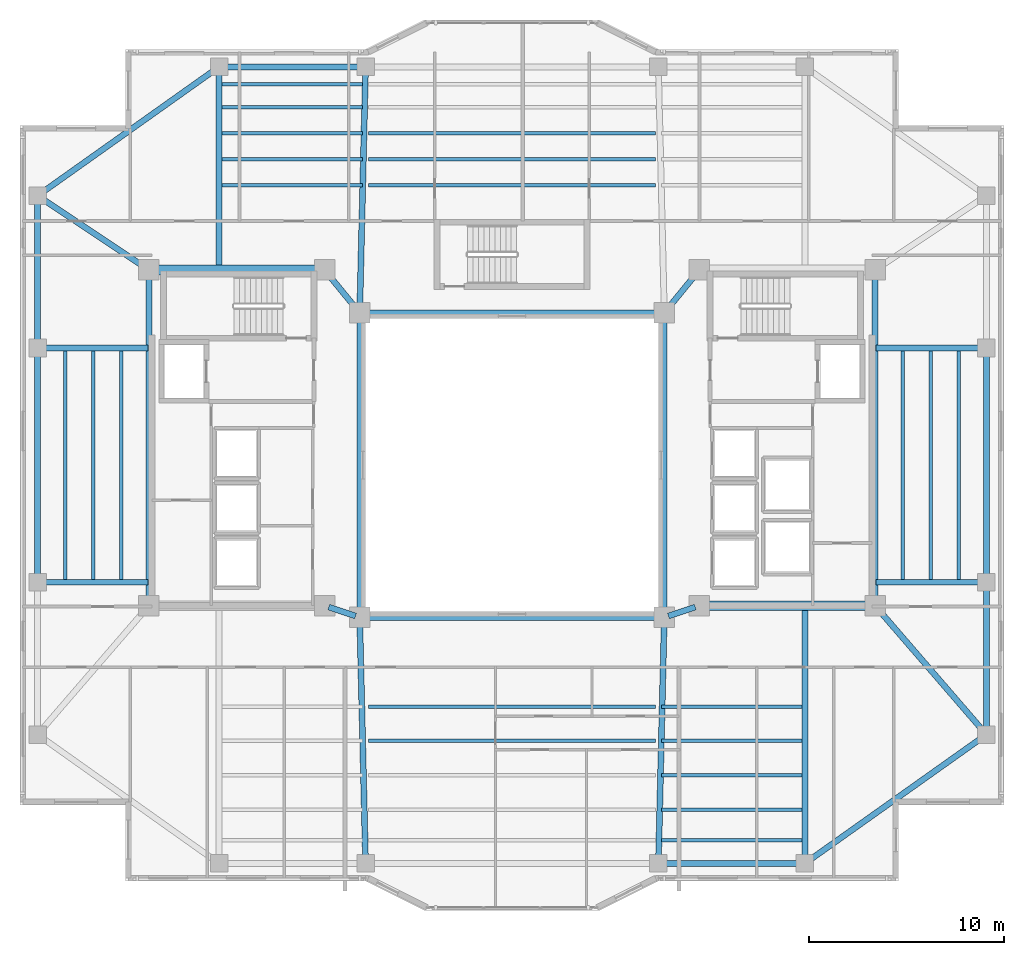
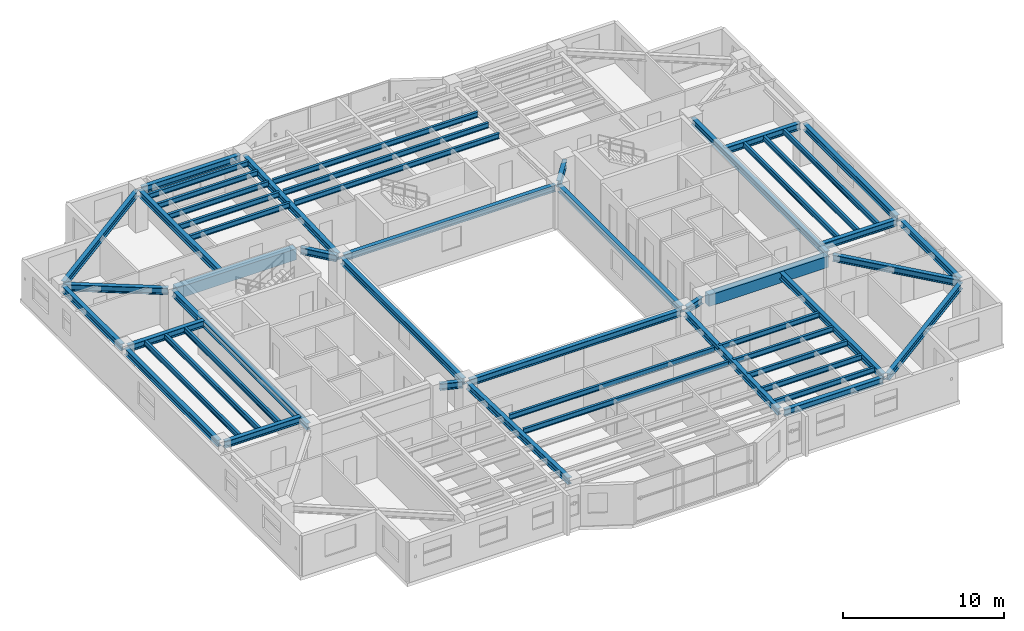
# One storey, part 3 of 15: 52 beams.
"""IFC4 building model written with IfcOpenShell, lengths in metres."""

from ifc_helpers import new_model, si_unit, direction, frame, origin, origin_2d, place, context, subcontext, project, spatial, rectangle, i_section, extrude, material, material_profile, profile_set, type_object, element, save


model = new_model("IFC4")

# Units and contexts
model_context = context("Model", 3, precision=1e-05, world=origin(), true_north=direction((0.0, 1.0)))
body_context = subcontext(model_context, "Body", "Model", "MODEL_VIEW")
ifc_project = project(units=[si_unit("LENGTHUNIT", "METRE"), si_unit("AREAUNIT", "SQUARE_METRE"), si_unit("VOLUMEUNIT", "CUBIC_METRE"), si_unit("PLANEANGLEUNIT", "RADIAN"), si_unit("MASSUNIT", "GRAM", prefix="KILO")], contexts=[model_context])

# Site, building, storey
site_placement = place(None, origin())
site = spatial("IfcSite", under=ifc_project, at=site_placement, CompositionType="ELEMENT")
building_placement = place(site_placement, origin())
building = spatial("IfcBuilding", under=site, at=building_placement, Name="Tarnavaz Court Tower", CompositionType="ELEMENT")
storey_placement = place(building_placement, frame((0.0, 0.0, 169.449951171875)))
storey = spatial("IfcBuildingStorey", under=building, at=storey_placement, Name="L46", CompositionType="ELEMENT", Elevation=169.449951171875)

# Beams
ifc_material_1 = material(Name="Concrete C50/60", Category="concrete")
ifc_material_profile_1 = material_profile(ifc_material_1, rectangle(XDim=0.5, YDim=0.85009765625, at=origin_2d()), Name="RC 500X850")
ifc_profile_set_1 = profile_set([ifc_material_profile_1], Name="Concrete C50/60")
beam_type_1 = type_object("IfcBeamType", Name="BM-CB850", PredefinedType="LINTEL", material=ifc_profile_set_1)
for number, where, z_axis, x_axis, name in (
    (1, (-18.3798828125, 10.0, 2.625), (1.0, 0.0, 0.0), (0.0, 1.0, 0.0), "L46 Beam IN-CW-NO-CW-NI"),
    (2, (18.3798828125, -7.199951171875, 2.625), (-1.0, 0.0, 0.0), (0.0, -1.0, 0.0), "L46 Beam IN-CE-SO-CE-SI"),
):
    element("IfcBeam", number, at=place(storey_placement, frame(where, z_axis=z_axis, x_axis=x_axis)), inside=storey, type_object=beam_type_1, Name=name, PredefinedType="LINTEL", context=body_context, shape_type="SweptSolid", body=[
        extrude(rectangle(XDim=0.5, YDim=0.85009765625, at=origin_2d()), origin(), (0.0, 0.0, 1.0), 8.559814453125),
    ])
ifc_material_2 = material(Name="Steel S355", Category="steel")
ifc_material_profile_2 = material_profile(ifc_material_2, i_section(OverallWidth=0.300048828125, OverallDepth=0.5, WebThickness=0.014404296875, FlangeThickness=0.028076171875, FilletRadius=0.027099609375, at=origin_2d()), Name="HEB 500")
ifc_profile_set_2 = profile_set([ifc_material_profile_2], Name="Steel S355")
beam_type_2 = type_object("IfcBeamType", Name="BM-G-HEB500", PredefinedType="USERDEFINED", material=ifc_profile_set_2)
for number, where, z_axis, x_axis, name in (
    (3, (-9.391357421875, -7.26953125, 2.800048828125), (0.948666544706, -0.316278021615, 0.0), (0.316278021615, 0.948666544706, 0.0), "L46 Beam IN-CW-SI-IW-SW"),
    (4, (9.391357421875, -7.26953125, 2.800048828125), (-0.948666544706, -0.316278021615, 0.0), (0.316278021615, -0.948666544706, 0.0), "L46 Beam IN-CE-SI-IW-SE"),
):
    element("IfcBeam", number, at=place(storey_placement, frame(where, z_axis=z_axis, x_axis=x_axis)), inside=storey, type_object=beam_type_2, Name=name, ObjectType="GIRDER", PredefinedType="USERDEFINED", context=body_context, shape_type="SweptSolid", body=[
        extrude(i_section(OverallWidth=0.300048828125, OverallDepth=0.5, WebThickness=0.014404296875, FlangeThickness=0.028076171875, FilletRadius=0.027099609375, at=origin_2d()), origin(), (0.0, 0.0, 1.0), 1.457275390625),
    ])
for number, where, z_axis, x_axis, name in (
    (5, (-9.460693359375, 9.82958984375, 2.800048828125), (0.633282058357, -0.773921077735, 0.0), (0.773921077735, 0.633282058357, 0.0), "L46 Beam IN-CW-NI-IW-NW"),
    (6, (9.460693359375, 9.82958984375, 2.800048828125), (-0.633282058357, -0.773921077735, 0.0), (0.773921077735, -0.633282058357, 0.0), "L46 Beam IN-CE-NI-IW-NE"),
):
    element("IfcBeam", number, at=place(storey_placement, frame(where, z_axis=z_axis, x_axis=x_axis)), inside=storey, type_object=beam_type_2, Name=name, ObjectType="GIRDER", PredefinedType="USERDEFINED", context=body_context, shape_type="SweptSolid", body=[
        extrude(i_section(OverallWidth=0.300048828125, OverallDepth=0.5, WebThickness=0.014404296875, FlangeThickness=0.028076171875, FilletRadius=0.027099609375, at=origin_2d()), origin(), (0.0, 0.0, 1.0), 2.402587890625),
    ])
for number, where, z_axis, x_axis, name in (
    (7, (-18.60009765625, -6.97998046875, 2.800048828125), (0.0, 1.0, 0.0), (-1.0, 0.0, 0.0), "L46 Beam IN-CW-SO-CW-NO"),
    (8, (18.60009765625, -6.97998046875, 2.800048828125), (0.0, 1.0, 0.0), (-1.0, 0.0, 0.0), "L46 Beam IN-CE-SO-CE-NO"),
):
    element("IfcBeam", number, at=place(storey_placement, frame(where, z_axis=z_axis, x_axis=x_axis)), inside=storey, type_object=beam_type_2, Name=name, ObjectType="GIRDER", PredefinedType="USERDEFINED", context=body_context, shape_type="SweptSolid", body=[
        extrude(i_section(OverallWidth=0.300048828125, OverallDepth=0.5, WebThickness=0.014404296875, FlangeThickness=0.028076171875, FilletRadius=0.027099609375, at=origin_2d()), origin(), (0.0, 0.0, 1.0), 16.760009765625),
    ])
beam_1_placement = place(storey_placement, frame((-15.0, 10.0400390625, 2.800048828125), z_axis=(0.0, 1.0, 0.0), x_axis=(-1.0, 0.0, 0.0)))
element("IfcBeam", 9, at=beam_1_placement, inside=storey, type_object=beam_type_2, Name="L46 Beam RG-01", ObjectType="GIRDER", PredefinedType="USERDEFINED", context=body_context, shape_type="SweptSolid", body=[
    extrude(i_section(OverallWidth=0.300048828125, OverallDepth=0.5, WebThickness=0.014404296875, FlangeThickness=0.028076171875, FilletRadius=0.027099609375, at=origin_2d()), origin(), (0.0, 0.0, 1.0), 10.139892578125),
])
for number, where, z_axis, x_axis, name in (
    (10, (-7.794921875, 8.02001953125, 2.800048828125), (0.023824748444, 0.999716150395, 0.0), (-0.999716150395, 0.023824748444, 0.0), "L46 Beam RG-02"),
    (11, (-7.794921875, -8.02001953125, 2.800048828125), (0.023824748444, -0.999716150395, 0.0), (0.999716150395, 0.023824748444, 0.0), "L46 Beam RG-06"),
    (12, (7.794921875, -8.02001953125, 2.800048828125), (-0.023824748444, -0.999716150395, 0.0), (0.999716150395, -0.023824748444, 0.0), "L46 Beam RG-07"),
):
    element("IfcBeam", number, at=place(storey_placement, frame(where, z_axis=z_axis, x_axis=x_axis)), inside=storey, type_object=beam_type_2, Name=name, ObjectType="GIRDER", PredefinedType="USERDEFINED", context=body_context, shape_type="SweptSolid", body=[
        extrude(i_section(OverallWidth=0.300048828125, OverallDepth=0.5, WebThickness=0.014404296875, FlangeThickness=0.028076171875, FilletRadius=0.027099609375, at=origin_2d()), origin(), (0.0, 0.0, 1.0), 12.16357421875),
    ])
beam_2_placement = place(storey_placement, frame((15.0, -7.239990234375, 2.800048828125), z_axis=(0.0, -1.0, 0.0), x_axis=(1.0, 0.0, 0.0)))
element("IfcBeam", 13, at=beam_2_placement, inside=storey, type_object=beam_type_2, Name="L46 Beam RG-08", ObjectType="GIRDER", PredefinedType="USERDEFINED", context=body_context, shape_type="SweptSolid", body=[
    extrude(i_section(OverallWidth=0.300048828125, OverallDepth=0.5, WebThickness=0.014404296875, FlangeThickness=0.028076171875, FilletRadius=0.027099609375, at=origin_2d()), origin(), (0.0, 0.0, 1.0), 12.93994140625),
])
for number, where, z_axis, x_axis, name in (
    (14, (18.639892578125, -6.0, 2.800048828125), (1.0, 0.0, 0.0), (0.0, 1.0, 0.0), "L46 Beam RG-09"),
    (15, (18.639892578125, 6.0, 2.800048828125), (1.0, 0.0, 0.0), (0.0, 1.0, 0.0), "L46 Beam RG-10"),
):
    element("IfcBeam", number, at=place(storey_placement, frame(where, z_axis=z_axis, x_axis=x_axis)), inside=storey, type_object=beam_type_2, Name=name, ObjectType="GIRDER", PredefinedType="USERDEFINED", context=body_context, shape_type="SweptSolid", body=[
        extrude(i_section(OverallWidth=0.300048828125, OverallDepth=0.5, WebThickness=0.014404296875, FlangeThickness=0.028076171875, FilletRadius=0.027099609375, at=origin_2d()), origin(), (0.0, 0.0, 1.0), 5.440185546875),
    ])
beam_3_placement = place(storey_placement, frame((18.743896484375, -7.366455078125, 2.800048828125), z_axis=(0.653610659012, -0.756830962914, 0.0), x_axis=(0.756830962914, 0.653610659012, 0.0)))
element("IfcBeam", 16, at=beam_3_placement, inside=storey, type_object=beam_type_2, Name="L46 Beam RG-11", ObjectType="GIRDER", PredefinedType="USERDEFINED", context=body_context, shape_type="SweptSolid", body=[
    extrude(i_section(OverallWidth=0.300048828125, OverallDepth=0.5, WebThickness=0.014404296875, FlangeThickness=0.028076171875, FilletRadius=0.027099609375, at=origin_2d()), origin(), (0.0, 0.0, 1.0), 8.28076171875),
])
for number, where, z_axis, x_axis, name in (
    (17, (-18.639892578125, -6.0, 2.800048828125), (-1.0, 0.0, 0.0), (0.0, -1.0, 0.0), "L46 Beam RG-13"),
    (18, (-18.639892578125, 6.0, 2.800048828125), (-1.0, 0.0, 0.0), (0.0, -1.0, 0.0), "L46 Beam RG-14"),
):
    element("IfcBeam", number, at=place(storey_placement, frame(where, z_axis=z_axis, x_axis=x_axis)), inside=storey, type_object=beam_type_2, Name=name, ObjectType="GIRDER", PredefinedType="USERDEFINED", context=body_context, shape_type="SweptSolid", body=[
        extrude(i_section(OverallWidth=0.300048828125, OverallDepth=0.5, WebThickness=0.014404296875, FlangeThickness=0.028076171875, FilletRadius=0.027099609375, at=origin_2d()), origin(), (0.0, 0.0, 1.0), 5.440185546875),
    ])
beam_4_placement = place(storey_placement, frame((-18.783203125, 10.1220703125, 2.800048828125), z_axis=(-0.832044435051, 0.554708985056, 0.0), x_axis=(-0.554708985056, -0.832044435051, 0.0)))
element("IfcBeam", 19, at=beam_4_placement, inside=storey, type_object=beam_type_2, Name="L46 Beam RG-16", ObjectType="GIRDER", PredefinedType="USERDEFINED", context=body_context, shape_type="SweptSolid", body=[
    extrude(i_section(OverallWidth=0.300048828125, OverallDepth=0.5, WebThickness=0.014404296875, FlangeThickness=0.028076171875, FilletRadius=0.027099609375, at=origin_2d()), origin(), (0.0, 0.0, 1.0), 6.410400390625),
])
ifc_material_profile_3 = material_profile(ifc_material_2, i_section(OverallWidth=0.179931640625, OverallDepth=0.39990234375, WebThickness=0.008544921875, FlangeThickness=0.013427734375, FilletRadius=0.02099609375, at=origin_2d()), Name="IPE 400")
ifc_profile_set_3 = profile_set([ifc_material_profile_3], Name="Steel S355")
beam_type_3 = type_object("IfcBeamType", Name="BM-J-IPE400", PredefinedType="JOIST", material=ifc_profile_set_3)
beam_5_placement = place(storey_placement, frame((-14.85009765625, 14.33203125, 2.85009765625), z_axis=(1.0, 0.0, 0.0), x_axis=(0.0, 1.0, 0.0)))
element("IfcBeam", 20, at=beam_5_placement, inside=storey, type_object=beam_type_3, Name="L46 Beam JN1-1", PredefinedType="JOIST", context=body_context, shape_type="SweptSolid", body=[
    extrude(i_section(OverallWidth=0.179931640625, OverallDepth=0.39990234375, WebThickness=0.008544921875, FlangeThickness=0.013427734375, FilletRadius=0.02099609375, at=origin_2d()), origin(), (0.0, 0.0, 1.0), 7.2001953125),
])
for number, where, z_axis, x_axis, name in (
    (21, (-7.35009765625, 14.33203125, 2.85009765625), (1.0, 0.0, 0.0), (0.0, 1.0, 0.0), "L46 Beam JN1-2"),
    (22, (-7.35009765625, -12.364013671875, 2.85009765625), (1.0, 0.0, 0.0), (0.0, 1.0, 0.0), "L46 Beam JS1-2"),
):
    element("IfcBeam", number, at=place(storey_placement, frame(where, z_axis=z_axis, x_axis=x_axis)), inside=storey, type_object=beam_type_3, Name=name, PredefinedType="JOIST", context=body_context, shape_type="SweptSolid", body=[
        extrude(i_section(OverallWidth=0.179931640625, OverallDepth=0.39990234375, WebThickness=0.008544921875, FlangeThickness=0.013427734375, FilletRadius=0.02099609375, at=origin_2d()), origin(), (0.0, 0.0, 1.0), 14.7001953125),
    ])
for number, where, z_axis, x_axis, name in (
    (23, (7.64990234375, -12.364013671875, 2.85009765625), (1.0, 0.0, 0.0), (0.0, 1.0, 0.0), "L46 Beam JS1-3"),
    (24, (-14.85009765625, 15.6640625, 2.85009765625), (1.0, 0.0, 0.0), (0.0, 1.0, 0.0), "L46 Beam JN2-1"),
):
    element("IfcBeam", number, at=place(storey_placement, frame(where, z_axis=z_axis, x_axis=x_axis)), inside=storey, type_object=beam_type_3, Name=name, PredefinedType="JOIST", context=body_context, shape_type="SweptSolid", body=[
        extrude(i_section(OverallWidth=0.179931640625, OverallDepth=0.39990234375, WebThickness=0.008544921875, FlangeThickness=0.013427734375, FilletRadius=0.02099609375, at=origin_2d()), origin(), (0.0, 0.0, 1.0), 7.2001953125),
    ])
for number, where, z_axis, x_axis, name in (
    (25, (-7.35009765625, 15.6640625, 2.85009765625), (1.0, 0.0, 0.0), (0.0, 1.0, 0.0), "L46 Beam JN2-2"),
    (26, (-7.35009765625, -14.1279296875, 2.85009765625), (1.0, 0.0, 0.0), (0.0, 1.0, 0.0), "L46 Beam JS2-2"),
):
    element("IfcBeam", number, at=place(storey_placement, frame(where, z_axis=z_axis, x_axis=x_axis)), inside=storey, type_object=beam_type_3, Name=name, PredefinedType="JOIST", context=body_context, shape_type="SweptSolid", body=[
        extrude(i_section(OverallWidth=0.179931640625, OverallDepth=0.39990234375, WebThickness=0.008544921875, FlangeThickness=0.013427734375, FilletRadius=0.02099609375, at=origin_2d()), origin(), (0.0, 0.0, 1.0), 14.7001953125),
    ])
for number, where, z_axis, x_axis, name in (
    (27, (7.64990234375, -14.1279296875, 2.85009765625), (1.0, 0.0, 0.0), (0.0, 1.0, 0.0), "L46 Beam JS2-3"),
    (28, (-14.85009765625, 16.99609375, 2.85009765625), (1.0, 0.0, 0.0), (0.0, 1.0, 0.0), "L46 Beam JN3-1"),
):
    element("IfcBeam", number, at=place(storey_placement, frame(where, z_axis=z_axis, x_axis=x_axis)), inside=storey, type_object=beam_type_3, Name=name, PredefinedType="JOIST", context=body_context, shape_type="SweptSolid", body=[
        extrude(i_section(OverallWidth=0.179931640625, OverallDepth=0.39990234375, WebThickness=0.008544921875, FlangeThickness=0.013427734375, FilletRadius=0.02099609375, at=origin_2d()), origin(), (0.0, 0.0, 1.0), 7.2001953125),
    ])
beam_6_placement = place(storey_placement, frame((-7.35009765625, 16.99609375, 2.85009765625), z_axis=(1.0, 0.0, 0.0), x_axis=(0.0, 1.0, 0.0)))
element("IfcBeam", 29, at=beam_6_placement, inside=storey, type_object=beam_type_3, Name="L46 Beam JN3-2", PredefinedType="JOIST", context=body_context, shape_type="SweptSolid", body=[
    extrude(i_section(OverallWidth=0.179931640625, OverallDepth=0.39990234375, WebThickness=0.008544921875, FlangeThickness=0.013427734375, FilletRadius=0.02099609375, at=origin_2d()), origin(), (0.0, 0.0, 1.0), 14.7001953125),
])
for number, where, z_axis, x_axis, name in (
    (30, (7.64990234375, -15.89208984375, 2.85009765625), (1.0, 0.0, 0.0), (0.0, 1.0, 0.0), "L46 Beam JS3-3"),
    (31, (-14.85009765625, 18.327880859375, 2.85009765625), (1.0, 0.0, 0.0), (0.0, 1.0, 0.0), "L46 Beam JN4-1"),
    (32, (7.64990234375, -17.656005859375, 2.85009765625), (1.0, 0.0, 0.0), (0.0, 1.0, 0.0), "L46 Beam JS4-3"),
    (33, (-14.85009765625, 19.511962890625, 2.85009765625), (1.0, 0.0, 0.0), (0.0, 1.0, 0.0), "L46 Beam JN5-1"),
    (34, (7.64990234375, -19.22412109375, 2.85009765625), (1.0, 0.0, 0.0), (0.0, 1.0, 0.0), "L46 Beam JS5-3"),
):
    element("IfcBeam", number, at=place(storey_placement, frame(where, z_axis=z_axis, x_axis=x_axis)), inside=storey, type_object=beam_type_3, Name=name, PredefinedType="JOIST", context=body_context, shape_type="SweptSolid", body=[
        extrude(i_section(OverallWidth=0.179931640625, OverallDepth=0.39990234375, WebThickness=0.008544921875, FlangeThickness=0.013427734375, FilletRadius=0.02099609375, at=origin_2d()), origin(), (0.0, 0.0, 1.0), 7.2001953125),
    ])
for number, where, z_axis, x_axis, name in (
    (35, (20.02490234375, -5.9599609375, 2.85009765625), (0.0, 1.0, 0.0), (-1.0, 0.0, 0.0), "L46 Beam JE1"),
    (36, (-20.02490234375, -5.9599609375, 2.85009765625), (0.0, 1.0, 0.0), (-1.0, 0.0, 0.0), "L46 Beam JW1"),
    (37, (21.449951171875, -5.9599609375, 2.85009765625), (0.0, 1.0, 0.0), (-1.0, 0.0, 0.0), "L46 Beam JE2"),
    (38, (-21.449951171875, -5.9599609375, 2.85009765625), (0.0, 1.0, 0.0), (-1.0, 0.0, 0.0), "L46 Beam JW2"),
    (39, (22.875, -5.9599609375, 2.85009765625), (0.0, 1.0, 0.0), (-1.0, 0.0, 0.0), "L46 Beam JE3"),
    (40, (-22.875, -5.9599609375, 2.85009765625), (0.0, 1.0, 0.0), (-1.0, 0.0, 0.0), "L46 Beam JW3"),
):
    element("IfcBeam", number, at=place(storey_placement, frame(where, z_axis=z_axis, x_axis=x_axis)), inside=storey, type_object=beam_type_3, Name=name, PredefinedType="JOIST", context=body_context, shape_type="SweptSolid", body=[
        extrude(i_section(OverallWidth=0.179931640625, OverallDepth=0.39990234375, WebThickness=0.008544921875, FlangeThickness=0.013427734375, FilletRadius=0.02099609375, at=origin_2d()), origin(), (0.0, 0.0, 1.0), 11.919921875),
    ])
ifc_material_profile_4 = material_profile(ifc_material_2, i_section(OverallWidth=0.300048828125, OverallDepth=0.489990234375, WebThickness=0.011962890625, FlangeThickness=0.02294921875, FilletRadius=0.027099609375, at=origin_2d()), Name="HEA 500")
ifc_profile_set_4 = profile_set([ifc_material_profile_4], Name="Steel S355")
beam_type_4 = type_object("IfcBeamType", Name="BM-SP-HEA500", PredefinedType="SPANDREL", material=ifc_profile_set_4)
for number, where, z_axis, x_axis, name in (
    (41, (-7.580078125, -7.800048828125, 2.804931640625), (1.0, 0.0, 0.0), (0.0, 1.0, 0.0), "L46 Beam IN-IW-SW-IW-SE"),
    (42, (-7.580078125, 7.800048828125, 2.804931640625), (1.0, 0.0, 0.0), (0.0, 1.0, 0.0), "L46 Beam IN-IW-NW-IW-NE"),
    (43, (-7.800048828125, -7.580078125, 2.804931640625), (0.0, 1.0, 0.0), (-1.0, 0.0, 0.0), "L46 Beam IN-IW-SW-IW-NW"),
    (44, (7.800048828125, -7.580078125, 2.804931640625), (0.0, 1.0, 0.0), (-1.0, 0.0, 0.0), "L46 Beam IN-IW-SE-IW-NE"),
):
    element("IfcBeam", number, at=place(storey_placement, frame(where, z_axis=z_axis, x_axis=x_axis)), inside=storey, type_object=beam_type_4, Name=name, PredefinedType="SPANDREL", context=body_context, shape_type="SweptSolid", body=[
        extrude(i_section(OverallWidth=0.300048828125, OverallDepth=0.489990234375, WebThickness=0.011962890625, FlangeThickness=0.02294921875, FilletRadius=0.027099609375, at=origin_2d()), origin(), (0.0, 0.0, 1.0), 15.16015625),
    ])
for number, where, z_axis, x_axis, name in (
    (45, (-14.780029296875, 20.39990234375, 2.804931640625), (1.0, 0.0, 0.0), (0.0, 1.0, 0.0), "L46 Beam PR-PN-1-PN-2"),
    (46, (7.719970703125, -20.39990234375, 2.804931640625), (1.0, 0.0, 0.0), (0.0, 1.0, 0.0), "L46 Beam PR-PS-3-PS-4"),
):
    element("IfcBeam", number, at=place(storey_placement, frame(where, z_axis=z_axis, x_axis=x_axis)), inside=storey, type_object=beam_type_4, Name=name, PredefinedType="SPANDREL", context=body_context, shape_type="SweptSolid", body=[
        extrude(i_section(OverallWidth=0.300048828125, OverallDepth=0.489990234375, WebThickness=0.011962890625, FlangeThickness=0.02294921875, FilletRadius=0.027099609375, at=origin_2d()), origin(), (0.0, 0.0, 1.0), 7.06005859375),
    ])
beam_7_placement = place(storey_placement, frame((24.300048828125, -13.580078125, 2.804931640625), z_axis=(0.0, 1.0, 0.0), x_axis=(-1.0, 0.0, 0.0)))
element("IfcBeam", 47, at=beam_7_placement, inside=storey, type_object=beam_type_4, Name="L46 Beam PR-PE-1-PE-2", PredefinedType="SPANDREL", context=body_context, shape_type="SweptSolid", body=[
    extrude(i_section(OverallWidth=0.300048828125, OverallDepth=0.489990234375, WebThickness=0.011962890625, FlangeThickness=0.02294921875, FilletRadius=0.027099609375, at=origin_2d()), origin(), (0.0, 0.0, 1.0), 7.360107421875),
])
for number, where, z_axis, x_axis, name in (
    (48, (24.300048828125, -5.780029296875, 2.804931640625), (0.0, 1.0, 0.0), (-1.0, 0.0, 0.0), "L46 Beam PR-PE-2-PE-3"),
    (49, (-24.300048828125, -5.780029296875, 2.804931640625), (0.0, 1.0, 0.0), (-1.0, 0.0, 0.0), "L46 Beam PR-PW-2-PW-3"),
):
    element("IfcBeam", number, at=place(storey_placement, frame(where, z_axis=z_axis, x_axis=x_axis)), inside=storey, type_object=beam_type_4, Name=name, PredefinedType="SPANDREL", context=body_context, shape_type="SweptSolid", body=[
        extrude(i_section(OverallWidth=0.300048828125, OverallDepth=0.489990234375, WebThickness=0.011962890625, FlangeThickness=0.02294921875, FilletRadius=0.027099609375, at=origin_2d()), origin(), (0.0, 0.0, 1.0), 11.56005859375),
    ])
beam_8_placement = place(storey_placement, frame((-24.300048828125, 6.219970703125, 2.804931640625), z_axis=(0.0, 1.0, 0.0), x_axis=(-1.0, 0.0, 0.0)))
element("IfcBeam", 50, at=beam_8_placement, inside=storey, type_object=beam_type_4, Name="L46 Beam PR-PW-3-PW-4", PredefinedType="SPANDREL", context=body_context, shape_type="SweptSolid", body=[
    extrude(i_section(OverallWidth=0.300048828125, OverallDepth=0.489990234375, WebThickness=0.011962890625, FlangeThickness=0.02294921875, FilletRadius=0.027099609375, at=origin_2d()), origin(), (0.0, 0.0, 1.0), 7.360107421875),
])
for number, where, z_axis, x_axis, name in (
    (51, (24.12060546875, -13.92724609375, 2.804931640625), (-0.815502059396, -0.57875417158, 0.0), (0.57875417158, -0.815502059396, 0.0), "L46 Beam PR-PE-1-PS-4"),
    (52, (-24.12060546875, 13.92724609375, 2.804931640625), (0.815502059396, 0.57875417158, 0.0), (-0.57875417158, 0.815502059396, 0.0), "L46 Beam PR-PW-4-PN-1"),
):
    element("IfcBeam", number, at=place(storey_placement, frame(where, z_axis=z_axis, x_axis=x_axis)), inside=storey, type_object=beam_type_4, Name=name, PredefinedType="SPANDREL", context=body_context, shape_type="SweptSolid", body=[
        extrude(i_section(OverallWidth=0.300048828125, OverallDepth=0.489990234375, WebThickness=0.011962890625, FlangeThickness=0.02294921875, FilletRadius=0.027099609375, at=origin_2d()), origin(), (0.0, 0.0, 1.0), 10.964111328125),
    ])

save(model, "model.ifc")
